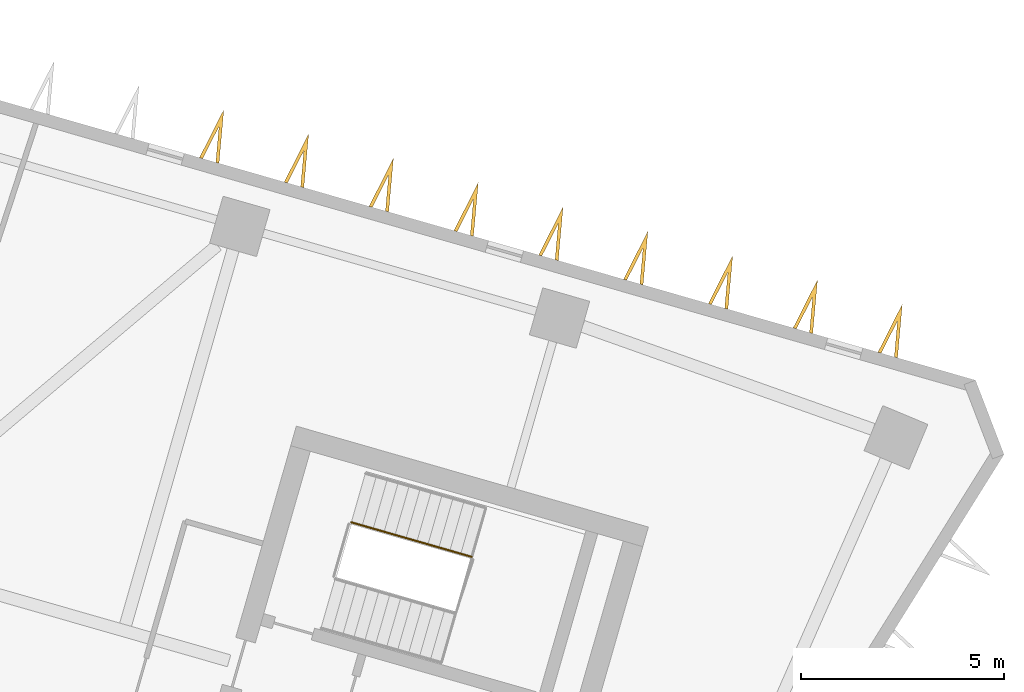
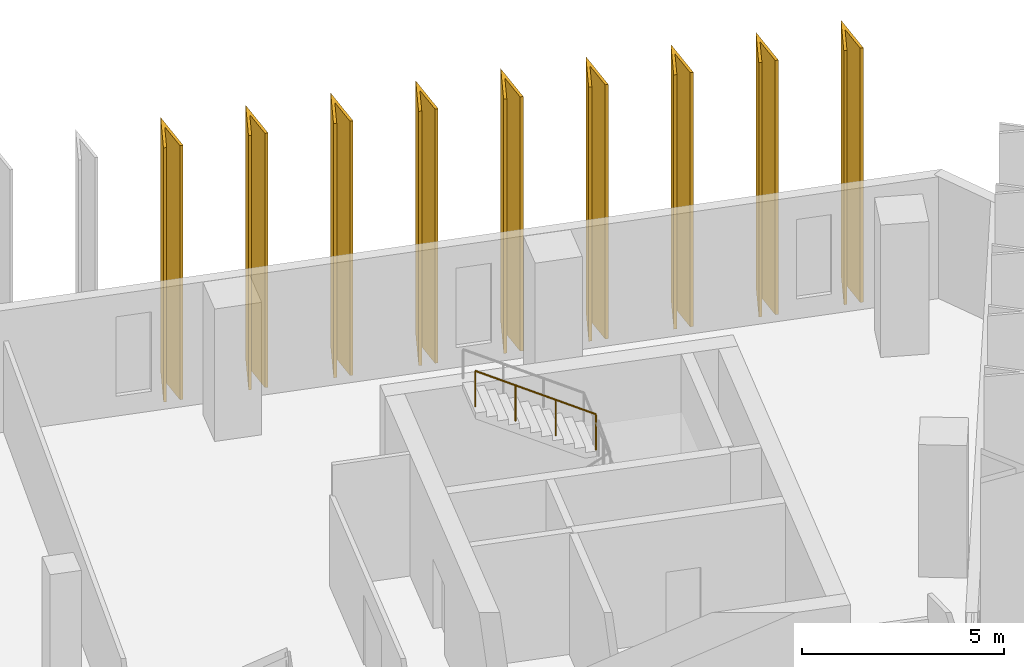
# One storey, part 10 of 10: 9 shading devices, 1 railing.
"""IFC4 building model written with IfcOpenShell, lengths in metres."""

from ifc_helpers import new_model, si_unit, direction, frame, origin, origin_2d, place, context, subcontext, project, spatial, polyline, circle, outline, extrude, material, type_object, element, save


model = new_model("IFC4")

# Units and contexts
model_context = context("Model", 3, precision=1e-05, world=origin(), true_north=direction((0.0, 1.0)))
body_context = subcontext(model_context, "Body", "Model", "MODEL_VIEW")
ifc_project = project(units=[si_unit("LENGTHUNIT", "METRE"), si_unit("AREAUNIT", "SQUARE_METRE"), si_unit("VOLUMEUNIT", "CUBIC_METRE"), si_unit("PLANEANGLEUNIT", "RADIAN"), si_unit("MASSUNIT", "GRAM", prefix="KILO")], contexts=[model_context])

# Site, building, storey
site_placement = place(None, origin())
site = spatial("IfcSite", under=ifc_project, at=site_placement, CompositionType="ELEMENT")
building_placement = place(site_placement, origin())
building = spatial("IfcBuilding", under=site, at=building_placement, Name="Binnacle Exchange Tower", CompositionType="ELEMENT")
storey_placement = place(building_placement, frame((0.0, 0.0, 186.89990234375)))
storey = spatial("IfcBuildingStorey", under=building, at=storey_placement, Name="L40", CompositionType="ELEMENT", Elevation=186.89990234375)

# Railing
ifc_material_1 = material(Name="Steel guard rail", Category="steel")
railing_type = type_object("IfcRailingType", Name="STAIR GUARD 1100", PredefinedType="GUARDRAIL", material=ifc_material_1)
railing_placement = place(storey_placement, frame((24.447021484375, 57.255126953125, 2.166748046875)))
element("IfcRailing", 1, at=railing_placement, inside=storey, type_object=railing_type, Name="L40 STD1 stair guard 2", PredefinedType="GUARDRAIL", context=body_context, shape_type="SweptSolid", body=[
    extrude(circle(Radius=0.02392578125, at=origin_2d()), frame((0.0, 0.0, 1.076171875), z_axis=(-0.826006950853, 0.236897186037, 0.511460888427), x_axis=(-0.27568413623, -0.961248280639, 0.0)), (0.0, 0.0, 1.0), 3.584228515625),
    extrude(circle(Radius=0.02099609375, at=origin_2d()), origin(), (0.0, 0.0, 1.0), 1.052001953125),
    extrude(circle(Radius=0.02099609375, at=origin_2d()), frame((-0.98681640625, 0.282958984375, 0.611083984375)), (0.0, 0.0, 1.0), 1.052001953125),
    extrude(circle(Radius=0.02099609375, at=origin_2d()), frame((-1.973876953125, 0.566162109375, 1.22216796875)), (0.0, 0.0, 1.0), 1.052001953125),
    extrude(circle(Radius=0.02099609375, at=origin_2d()), frame((-2.960693359375, 0.84912109375, 1.833251953125)), (0.0, 0.0, 1.0), 1.052001953125),
])

# Shading devices
ifc_material_2 = material(Name="Bronze aluminium cladding", Category="aluminium")
shading_device_type = type_object("IfcShadingDeviceType", Name="V FIN 1300 DEEP x 7680 HIGH", PredefinedType="USERDEFINED", material=ifc_material_2)
shading_device_1_placement = place(storey_placement, origin())
element("IfcShadingDevice", 2, at=shading_device_1_placement, inside=storey, type_object=shading_device_type, Name="V fin FN-G06-01 L40", ObjectType="FIN", PredefinedType="USERDEFINED", context=body_context, shape_type="SweptSolid", body=[
    extrude(outline(polyline([(34.90966796875, 62.145751953125), (35.027587890625, 63.46435546875), (34.42919921875, 62.28369140625), (34.50732421875, 62.26123046875), (34.910888671875, 63.05712890625), (34.831298828125, 62.168212890625), (34.90966796875, 62.145751953125)])), origin(), (0.0, 0.0, 1.0), 7.68017578125),
])
shading_device_2_placement = place(storey_placement, origin())
element("IfcShadingDevice", 3, at=shading_device_2_placement, inside=storey, type_object=shading_device_type, Name="V fin FN-G06-02 L40", ObjectType="FIN", PredefinedType="USERDEFINED", context=body_context, shape_type="SweptSolid", body=[
    extrude(outline(polyline([(32.825439453125, 62.743408203125), (32.943359375, 64.06201171875), (32.3447265625, 62.88134765625), (32.423095703125, 62.85888671875), (32.82666015625, 63.65478515625), (32.7470703125, 62.765869140625), (32.825439453125, 62.743408203125)])), origin(), (0.0, 0.0, 1.0), 7.68017578125),
])
shading_device_3_placement = place(storey_placement, origin())
element("IfcShadingDevice", 4, at=shading_device_3_placement, inside=storey, type_object=shading_device_type, Name="V fin FN-G06-03 L40", ObjectType="FIN", PredefinedType="USERDEFINED", context=body_context, shape_type="SweptSolid", body=[
    extrude(outline(polyline([(30.7412109375, 63.341064453125), (30.859130859375, 64.65966796875), (30.260498046875, 63.47900390625), (30.3388671875, 63.45654296875), (30.742431640625, 64.25244140625), (30.662841796875, 63.363525390625), (30.7412109375, 63.341064453125)])), origin(), (0.0, 0.0, 1.0), 7.68017578125),
])
shading_device_4_placement = place(storey_placement, origin())
element("IfcShadingDevice", 5, at=shading_device_4_placement, inside=storey, type_object=shading_device_type, Name="V fin FN-G06-04 L40", ObjectType="FIN", PredefinedType="USERDEFINED", context=body_context, shape_type="SweptSolid", body=[
    extrude(outline(polyline([(28.656982421875, 63.938720703125), (28.77490234375, 65.25732421875), (28.17626953125, 64.07666015625), (28.254638671875, 64.05419921875), (28.658203125, 64.85009765625), (28.57861328125, 63.961181640625), (28.656982421875, 63.938720703125)])), origin(), (0.0, 0.0, 1.0), 7.68017578125),
])
shading_device_5_placement = place(storey_placement, origin())
element("IfcShadingDevice", 6, at=shading_device_5_placement, inside=storey, type_object=shading_device_type, Name="V fin FN-G06-05 L40", ObjectType="FIN", PredefinedType="USERDEFINED", context=body_context, shape_type="SweptSolid", body=[
    extrude(outline(polyline([(26.57275390625, 64.536376953125), (26.690673828125, 65.85498046875), (26.092041015625, 64.67431640625), (26.17041015625, 64.65185546875), (26.573974609375, 65.44775390625), (26.494384765625, 64.558837890625), (26.57275390625, 64.536376953125)])), origin(), (0.0, 0.0, 1.0), 7.68017578125),
])
shading_device_6_placement = place(storey_placement, origin())
element("IfcShadingDevice", 7, at=shading_device_6_placement, inside=storey, type_object=shading_device_type, Name="V fin FN-G06-06 L40", ObjectType="FIN", PredefinedType="USERDEFINED", context=body_context, shape_type="SweptSolid", body=[
    extrude(outline(polyline([(24.488525390625, 65.134033203125), (24.6064453125, 66.45263671875), (24.0078125, 65.27197265625), (24.086181640625, 65.24951171875), (24.48974609375, 66.04541015625), (24.41015625, 65.156494140625), (24.488525390625, 65.134033203125)])), origin(), (0.0, 0.0, 1.0), 7.68017578125),
])
shading_device_7_placement = place(storey_placement, origin())
element("IfcShadingDevice", 8, at=shading_device_7_placement, inside=storey, type_object=shading_device_type, Name="V fin FN-G06-07 L40", ObjectType="FIN", PredefinedType="USERDEFINED", context=body_context, shape_type="SweptSolid", body=[
    extrude(outline(polyline([(22.404296875, 65.731689453125), (22.522216796875, 67.05029296875), (21.923583984375, 65.869384765625), (22.001953125, 65.84716796875), (22.405517578125, 66.64306640625), (22.325927734375, 65.754150390625), (22.404296875, 65.731689453125)])), origin(), (0.0, 0.0, 1.0), 7.68017578125),
])
shading_device_8_placement = place(storey_placement, origin())
element("IfcShadingDevice", 9, at=shading_device_8_placement, inside=storey, type_object=shading_device_type, Name="V fin FN-G06-08 L40", ObjectType="FIN", PredefinedType="USERDEFINED", context=body_context, shape_type="SweptSolid", body=[
    extrude(outline(polyline([(20.320068359375, 66.329345703125), (20.43798828125, 67.64794921875), (19.83935546875, 66.46728515625), (19.917724609375, 66.44482421875), (20.3212890625, 67.24072265625), (20.24169921875, 66.351806640625), (20.320068359375, 66.329345703125)])), origin(), (0.0, 0.0, 1.0), 7.68017578125),
])
shading_device_9_placement = place(storey_placement, origin())
element("IfcShadingDevice", 10, at=shading_device_9_placement, inside=storey, type_object=shading_device_type, Name="V fin FN-G06-09 L40", ObjectType="FIN", PredefinedType="USERDEFINED", context=body_context, shape_type="SweptSolid", body=[
    extrude(outline(polyline([(18.23583984375, 66.927001953125), (18.353759765625, 68.24560546875), (17.755126953125, 67.064697265625), (17.83349609375, 67.04248046875), (18.237060546875, 67.83837890625), (18.157470703125, 66.949462890625), (18.23583984375, 66.927001953125)])), origin(), (0.0, 0.0, 1.0), 7.68017578125),
])

save(model, "model.ifc")
